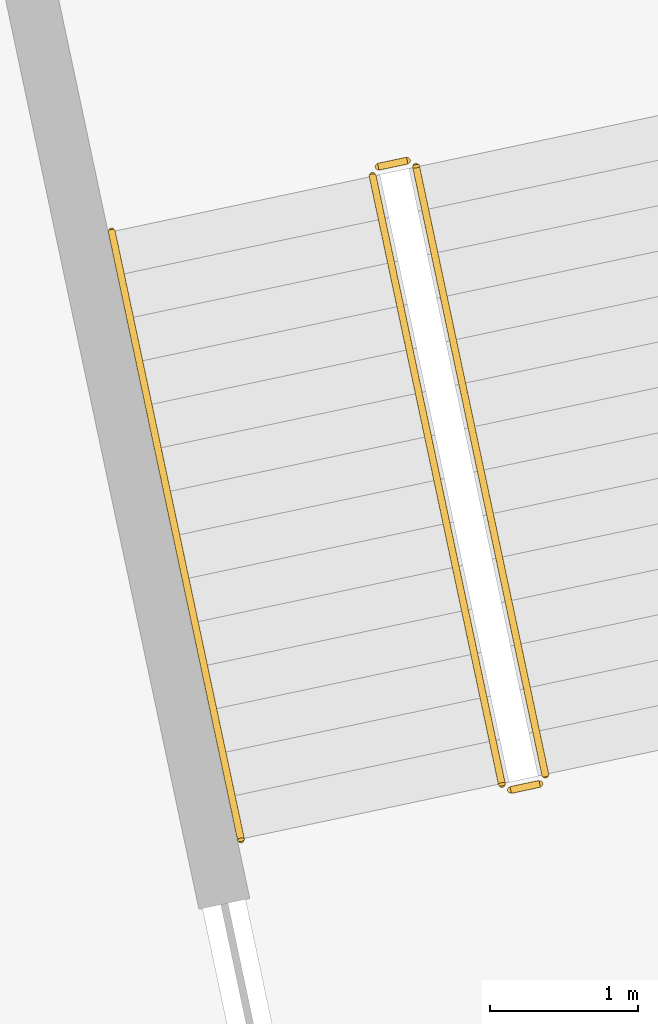
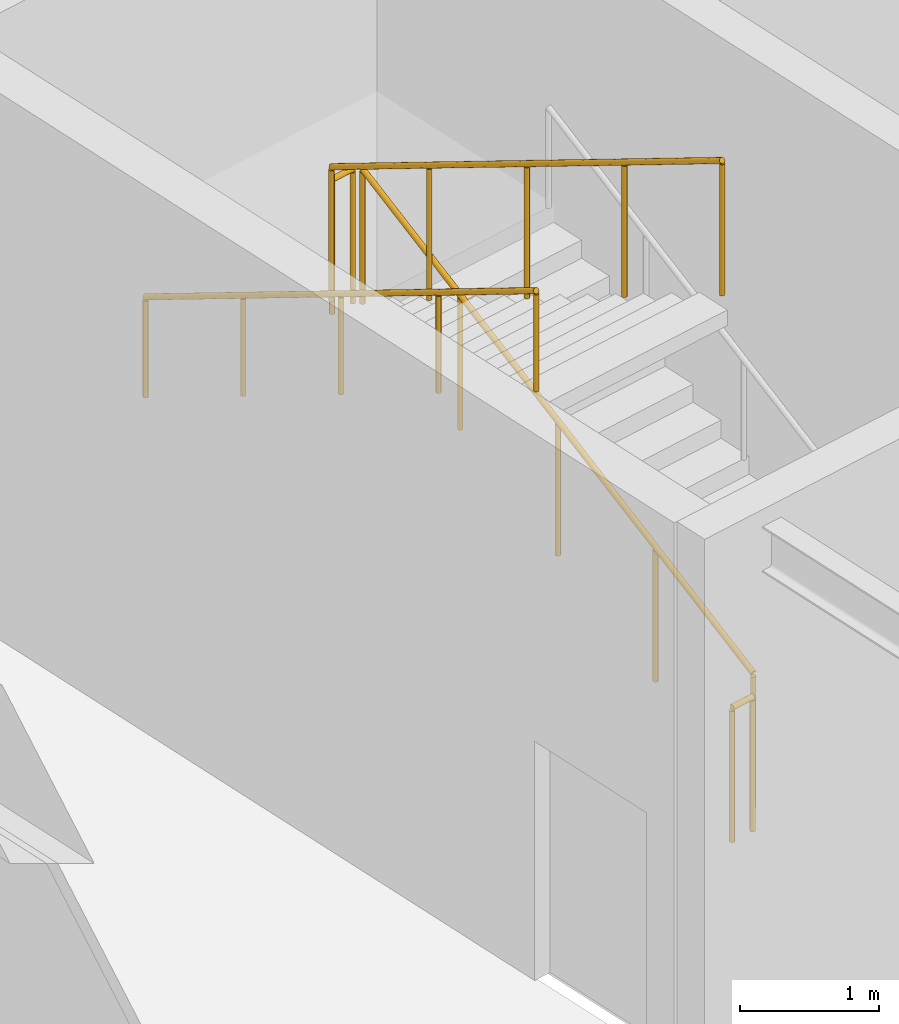
# One storey, part 185 of 196: 5 railings.
"""IFC4 building model written with IfcOpenShell, lengths in metres."""

from ifc_helpers import new_model, si_unit, direction, frame, origin, origin_2d, place, context, subcontext, project, spatial, circle, extrude, material, type_object, element, save


model = new_model("IFC4")

# Units and contexts
model_context = context("Model", 3, precision=1e-05, world=origin(), true_north=direction((0.0, 1.0)))
body_context = subcontext(model_context, "Body", "Model", "MODEL_VIEW")
ifc_project = project(units=[si_unit("LENGTHUNIT", "METRE"), si_unit("AREAUNIT", "SQUARE_METRE"), si_unit("VOLUMEUNIT", "CUBIC_METRE"), si_unit("PLANEANGLEUNIT", "RADIAN"), si_unit("MASSUNIT", "GRAM", prefix="KILO")], contexts=[model_context])

# Site, building, storey
site_placement = place(None, origin())
site = spatial("IfcSite", under=ifc_project, at=site_placement, CompositionType="ELEMENT")
building_placement = place(site_placement, origin())
building = spatial("IfcBuilding", under=site, at=building_placement, Name="Okhra Congress Centre", CompositionType="ELEMENT")
storey_placement = place(building_placement, frame((0.0, 0.0, 12.0)))
storey = spatial("IfcBuildingStorey", under=building, at=storey_placement, Name="L02", CompositionType="ELEMENT", Elevation=12.0)

# Railings
ifc_material_1 = material(Name="Painted steel tube handrail on wall brackets", Category="steel")
railing_type_1 = type_object("IfcRailingType", Name="Steel handrail 900", PredefinedType="HANDRAIL", material=ifc_material_1)
railing_1_placement = place(storey_placement, frame((65.28759765625, 37.711669921875, 2.56005859375)))
element("IfcRailing", 1, at=railing_1_placement, inside=storey, type_object=railing_type_1, Name="L02 BS1A stair handrail 2", PredefinedType="HANDRAIL", context=body_context, shape_type="SweptSolid", body=[
    extrude(circle(Radius=0.02392578125, at=origin_2d()), frame((0.0, 0.0, 0.8759765625), z_axis=(0.183466421502, -0.863066668889, 0.4705911147), x_axis=(0.978143927149, 0.207928972925, 0.0)), (0.0, 0.0, 1.0), 4.760009765625),
    extrude(circle(Radius=0.02099609375, at=origin_2d()), origin(), (0.0, 0.0, 1.0), 0.851806640625),
    extrude(circle(Radius=0.02099609375, at=origin_2d()), frame((0.21826171875, -1.027099609375, 0.56005859375)), (0.0, 0.0, 1.0), 0.851806640625),
    extrude(circle(Radius=0.02099609375, at=origin_2d()), frame((0.4365234375, -2.05419921875, 1.1201171875)), (0.0, 0.0, 1.0), 0.851806640625),
    extrude(circle(Radius=0.02099609375, at=origin_2d()), frame((0.655029296875, -3.0810546875, 1.679931640625)), (0.0, 0.0, 1.0), 0.851806640625),
    extrude(circle(Radius=0.02099609375, at=origin_2d()), frame((0.873291015625, -4.108154296875, 2.239990234375)), (0.0, 0.0, 1.0), 0.851806640625),
])
ifc_material_2 = material(Name="Painted steel tube guard with vertical steel balusters", Category="steel")
railing_type_2 = type_object("IfcRailingType", Name="Steel stair guard 1200", PredefinedType="GUARDRAIL", material=ifc_material_2)
railing_2_placement = place(storey_placement, frame((68.215087890625, 34.0400390625, 0.159912109375)))
element("IfcRailing", 2, at=railing_2_placement, inside=storey, type_object=railing_type_2, Name="L02 BS1A stair guard 1", PredefinedType="GUARDRAIL", context=body_context, shape_type="SweptSolid", body=[
    extrude(circle(Radius=0.02392578125, at=origin_2d()), frame((0.0, 0.0, 1.17578125), z_axis=(-0.183466421502, 0.863066668889, 0.4705911147), x_axis=(-0.978143927149, -0.207928972925, 0.0)), (0.0, 0.0, 1.0), 4.760009765625),
    extrude(circle(Radius=0.02099609375, at=origin_2d()), origin(), (0.0, 0.0, 1.0), 1.15185546875),
    extrude(circle(Radius=0.02099609375, at=origin_2d()), frame((-0.21826171875, 1.027099609375, 0.56005859375)), (0.0, 0.0, 1.0), 1.15185546875),
    extrude(circle(Radius=0.02099609375, at=origin_2d()), frame((-0.4365234375, 2.05419921875, 1.1201171875)), (0.0, 0.0, 1.0), 1.15185546875),
    extrude(circle(Radius=0.02099609375, at=origin_2d()), frame((-0.655029296875, 3.0810546875, 1.679931640625)), (0.0, 0.0, 1.0), 1.15185546875),
    extrude(circle(Radius=0.02099609375, at=origin_2d()), frame((-0.873291015625, 4.108154296875, 2.239990234375)), (0.0, 0.0, 1.0), 1.15185546875),
])
railing_3_placement = place(storey_placement, frame((67.282470703125, 38.186767578125, 2.39990234375)))
element("IfcRailing", 3, at=railing_3_placement, inside=storey, type_object=railing_type_2, Name="L02 BS1A stair guard 2", PredefinedType="GUARDRAIL", context=body_context, shape_type="SweptSolid", body=[
    extrude(circle(Radius=0.02392578125, at=origin_2d()), frame((0.0, 0.0, 1.17578125), z_axis=(-0.978211583308, -0.207610448392, 0.0), x_axis=(0.207610448392, -0.978211583308, 0.0)), (0.0, 0.0, 1.0), 0.199951171875),
    extrude(circle(Radius=0.02099609375, at=origin_2d()), origin(), (0.0, 0.0, 1.0), 1.15185546875),
    extrude(circle(Radius=0.02099609375, at=origin_2d()), frame((-0.195556640625, -0.04150390625, 0.0)), (0.0, 0.0, 1.0), 1.15185546875),
])
railing_4_placement = place(storey_placement, frame((67.04833984375, 38.0859375, 2.56005859375)))
element("IfcRailing", 4, at=railing_4_placement, inside=storey, type_object=railing_type_2, Name="L02 BS1A stair guard 3", PredefinedType="GUARDRAIL", context=body_context, shape_type="SweptSolid", body=[
    extrude(circle(Radius=0.02392578125, at=origin_2d()), frame((0.0, 0.0, 1.17578125), z_axis=(0.183466421502, -0.863066668889, 0.4705911147), x_axis=(0.978143927149, 0.207928972925, 0.0)), (0.0, 0.0, 1.0), 4.760009765625),
    extrude(circle(Radius=0.02099609375, at=origin_2d()), origin(), (0.0, 0.0, 1.0), 1.15185546875),
    extrude(circle(Radius=0.02099609375, at=origin_2d()), frame((0.21826171875, -1.027099609375, 0.56005859375)), (0.0, 0.0, 1.0), 1.15185546875),
    extrude(circle(Radius=0.02099609375, at=origin_2d()), frame((0.4365234375, -2.05419921875, 1.1201171875)), (0.0, 0.0, 1.0), 1.15185546875),
    extrude(circle(Radius=0.02099609375, at=origin_2d()), frame((0.655029296875, -3.0810546875, 1.679931640625)), (0.0, 0.0, 1.0), 1.15185546875),
    extrude(circle(Radius=0.02099609375, at=origin_2d()), frame((0.873291015625, -4.108154296875, 2.239990234375)), (0.0, 0.0, 1.0), 1.15185546875),
])
railing_5_placement = place(storey_placement, frame((68.176513671875, 33.980712890625, 0.0)))
element("IfcRailing", 5, at=railing_5_placement, inside=storey, type_object=railing_type_2, Name="L02 BS1A stair guard 4", PredefinedType="GUARDRAIL", context=body_context, shape_type="SweptSolid", body=[
    extrude(circle(Radius=0.02392578125, at=origin_2d()), frame((0.0, 0.0, 1.17578125), z_axis=(-0.978211583308, -0.207610448392, 0.0), x_axis=(0.207610448392, -0.978211583308, 0.0)), (0.0, 0.0, 1.0), 0.199951171875),
    extrude(circle(Radius=0.02099609375, at=origin_2d()), origin(), (0.0, 0.0, 1.0), 1.15185546875),
    extrude(circle(Radius=0.02099609375, at=origin_2d()), frame((-0.195556640625, -0.04150390625, 0.0)), (0.0, 0.0, 1.0), 1.15185546875),
])

save(model, "model.ifc")
